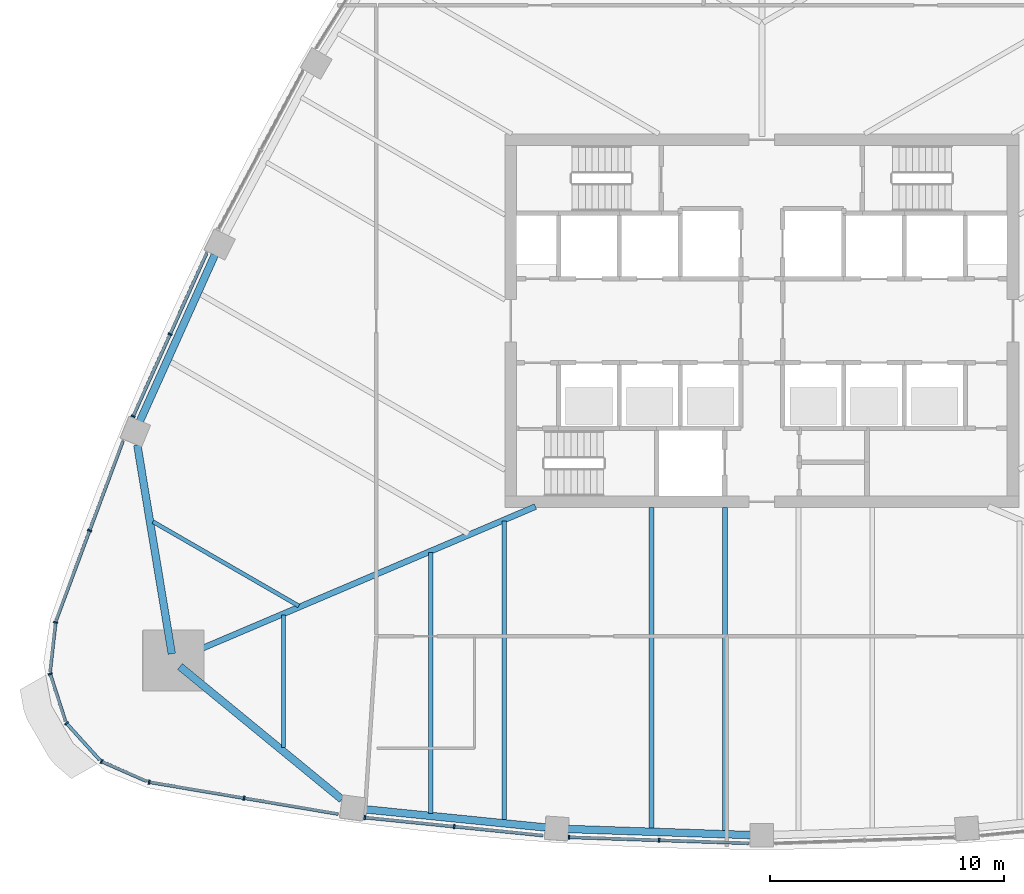
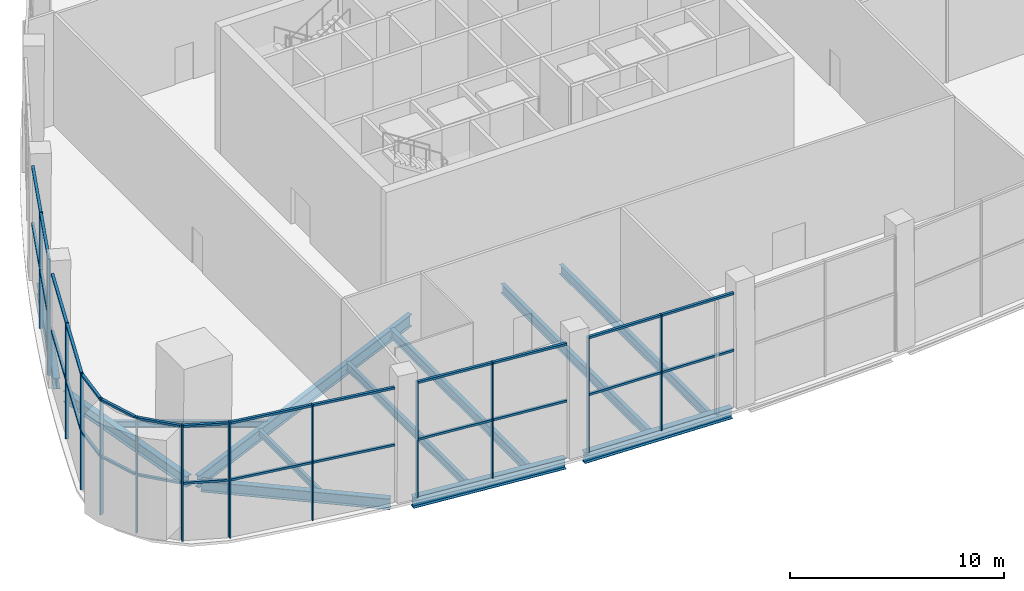
# One storey, part 2 of 15: 41 members, 12 beams, 9 elements without a shape of their own.
"""IFC4 building model written with IfcOpenShell, lengths in metres."""

from ifc_helpers import new_model, si_unit, direction, frame, origin, origin_2d, place, context, subcontext, project, spatial, rectangle, i_section, extrude, material, layer, layer_set, material_profile, profile_set, type_object, element, aggregate, save


model = new_model("IFC4")

# Units and contexts
model_context = context("Model", 3, precision=1e-05, world=origin(), true_north=direction((0.0, 1.0)))
body_context = subcontext(model_context, "Body", "Model", "MODEL_VIEW")
ifc_project = project(units=[si_unit("LENGTHUNIT", "METRE"), si_unit("AREAUNIT", "SQUARE_METRE"), si_unit("VOLUMEUNIT", "CUBIC_METRE"), si_unit("PLANEANGLEUNIT", "RADIAN"), si_unit("MASSUNIT", "GRAM", prefix="KILO")], contexts=[model_context])

# Site, building, storey
site_placement = place(None, origin())
site = spatial("IfcSite", under=ifc_project, at=site_placement, CompositionType="ELEMENT")
building_placement = place(site_placement, origin())
building = spatial("IfcBuilding", under=site, at=building_placement, Name="Sierra Prisma Convention Tower", CompositionType="ELEMENT")
storey_placement = place(building_placement, frame((0.0, 0.0, 118.60009765625)))
storey = spatial("IfcBuildingStorey", under=building, at=storey_placement, Name="L25", CompositionType="ELEMENT", Elevation=118.60009765625)

# Curtain wall, members
ifc_material_1 = material(Name="Aluminium and glass curtain wall", Category="aluminium")
ifc_layer = layer(ifc_material_1, 0.179931640625)
ifc_layer_set = layer_set([ifc_layer], Name="CW-4 Sky lobby double-height curtain wall")
curtain_wall_type = type_object("IfcCurtainWallType", Name="CW-4 Sky lobby double-height curtain wall", PredefinedType="NOTDEFINED", material=ifc_layer_set)
curtain_wall_1_placement = place(storey_placement, origin())
curtain_wall_1 = element("IfcCurtainWall", 1, at=curtain_wall_1_placement, inside=storey, type_object=curtain_wall_type, Name="CW-4 S1 L25", PredefinedType="NOTDEFINED")
ifc_material_2 = material(Name="Aluminium 6063-T6 bronze anodised", Category="aluminium")
ifc_material_profile_1 = material_profile(ifc_material_2, rectangle(XDim=0.179931640625, YDim=0.070068359375, at=origin_2d()), Name="ALU MULLION 70x180")
ifc_profile_set_1 = profile_set([ifc_material_profile_1], Name="Aluminium 6063-T6 bronze anodised")
member_type_1 = type_object("IfcMemberType", Name="CW mullion bronze", PredefinedType="MULLION", material=ifc_profile_set_1)
member_1_placement = place(storey_placement, frame((-26.2275390625, -19.746826171875, 0.0), z_axis=(0.0, 0.0, 1.0), x_axis=(0.166232087109, 0.986086656038, 0.0)))
member_1 = element("IfcMember", 2, at=member_1_placement, type_object=member_type_1, Name="CW-4 mullion S1.1", PredefinedType="MULLION", context=body_context, shape_type="SweptSolid", body=[
    extrude(rectangle(XDim=0.179931640625, YDim=0.070068359375, at=origin_2d()), origin(), (0.0, 0.0, 1.0), 6.599853515625),
])
member_2_placement = place(storey_placement, frame((-22.164306640625, -20.431884765625, 0.0), z_axis=(0.0, 0.0, 1.0), x_axis=(0.166232087109, 0.986086656038, 0.0)))
member_2 = element("IfcMember", 3, at=member_2_placement, type_object=member_type_1, Name="CW-4 mullion S1.2", PredefinedType="MULLION", context=body_context, shape_type="SweptSolid", body=[
    extrude(rectangle(XDim=0.179931640625, YDim=0.070068359375, at=origin_2d()), origin(), (0.0, 0.0, 1.0), 6.599853515625),
])

curtain_wall_2_placement = place(storey_placement, origin())
curtain_wall_2 = element("IfcCurtainWall", 4, at=curtain_wall_2_placement, inside=storey, type_object=curtain_wall_type, Name="CW-4 S2 L25", PredefinedType="NOTDEFINED")
member_3_placement = place(storey_placement, frame((-16.996337890625, -21.263671875, 0.0), z_axis=(0.0, 0.0, 1.0), x_axis=(0.100036804271, 0.994983737451, 0.0)))
member_3 = element("IfcMember", 5, at=member_3_placement, type_object=member_type_1, Name="CW-4 mullion S2.1", PredefinedType="MULLION", context=body_context, shape_type="SweptSolid", body=[
    extrude(rectangle(XDim=0.179931640625, YDim=0.070068359375, at=origin_2d()), origin(), (0.0, 0.0, 1.0), 6.599853515625),
])
member_4_placement = place(storey_placement, frame((-13.16748046875, -21.648681640625, 0.0), z_axis=(0.0, 0.0, 1.0), x_axis=(0.100036804271, 0.994983737451, 0.0)))
member_4 = element("IfcMember", 6, at=member_4_placement, type_object=member_type_1, Name="CW-4 mullion S2.2", PredefinedType="MULLION", context=body_context, shape_type="SweptSolid", body=[
    extrude(rectangle(XDim=0.179931640625, YDim=0.070068359375, at=origin_2d()), origin(), (0.0, 0.0, 1.0), 6.599853515625),
])

curtain_wall_3_placement = place(storey_placement, origin())
curtain_wall_3 = element("IfcCurtainWall", 7, at=curtain_wall_3_placement, inside=storey, type_object=curtain_wall_type, Name="CW-4 S3 L25", PredefinedType="NOTDEFINED")
member_5_placement = place(storey_placement, frame((-8.259033203125, -22.10546875, 0.0), z_axis=(0.0, 0.0, 1.0), x_axis=(0.03339525988, 0.999442222751, 0.0)))
member_5 = element("IfcMember", 8, at=member_5_placement, type_object=member_type_1, Name="CW-4 mullion S3.1", PredefinedType="MULLION", context=body_context, shape_type="SweptSolid", body=[
    extrude(rectangle(XDim=0.179931640625, YDim=0.070068359375, at=origin_2d()), origin(), (0.0, 0.0, 1.0), 6.599853515625),
])
member_6_placement = place(storey_placement, frame((-4.396728515625, -22.234619140625, 0.0), z_axis=(0.0, 0.0, 1.0), x_axis=(0.03339525988, 0.999442222751, 0.0)))
member_6 = element("IfcMember", 9, at=member_6_placement, type_object=member_type_1, Name="CW-4 mullion S3.2", PredefinedType="MULLION", context=body_context, shape_type="SweptSolid", body=[
    extrude(rectangle(XDim=0.179931640625, YDim=0.070068359375, at=origin_2d()), origin(), (0.0, 0.0, 1.0), 6.599853515625),
])

curtain_wall_4_placement = place(storey_placement, origin())
curtain_wall_4 = element("IfcCurtainWall", 10, at=curtain_wall_4_placement, inside=storey, type_object=curtain_wall_type, Name="CW-4 NW5 L25", PredefinedType="NOTDEFINED")
member_7_placement = place(storey_placement, frame((-25.33203125, -0.5791015625, 0.0), z_axis=(0.0, 0.0, 1.0), x_axis=(0.91169959512, -0.410857454913, 0.0)))
member_7 = element("IfcMember", 11, at=member_7_placement, type_object=member_type_1, Name="CW-4 mullion NW5.2", PredefinedType="MULLION", context=body_context, shape_type="SweptSolid", body=[
    extrude(rectangle(XDim=0.179931640625, YDim=0.070068359375, at=origin_2d()), origin(), (0.0, 0.0, 1.0), 6.599853515625),
])
member_8_placement = place(storey_placement, frame((-26.9130859375, -4.08740234375, 0.0), z_axis=(0.0, 0.0, 1.0), x_axis=(0.91169959512, -0.410857454913, 0.0)))
member_8 = element("IfcMember", 12, at=member_8_placement, type_object=member_type_1, Name="CW-4 mullion NW5.3", PredefinedType="MULLION", context=body_context, shape_type="SweptSolid", body=[
    extrude(rectangle(XDim=0.179931640625, YDim=0.070068359375, at=origin_2d()), origin(), (0.0, 0.0, 1.0), 6.599853515625),
])

# Curtain wall, member
curtain_wall_5_placement = place(storey_placement, origin())
curtain_wall_5 = element("IfcCurtainWall", 13, at=curtain_wall_5_placement, inside=storey, type_object=curtain_wall_type, Name="CW-4 NW6 L25", PredefinedType="NOTDEFINED")
member_9_placement = place(storey_placement, frame((-28.776611328125, -8.97900390625, 0.0), z_axis=(0.0, 0.0, 1.0), x_axis=(0.937092138016, -0.349082117659, 0.0)))
member_9 = element("IfcMember", 14, at=member_9_placement, type_object=member_type_1, Name="CW-4 mullion NW6.2", PredefinedType="MULLION", context=body_context, shape_type="SweptSolid", body=[
    extrude(rectangle(XDim=0.179931640625, YDim=0.070068359375, at=origin_2d()), origin(), (0.0, 0.0, 1.0), 6.599853515625),
])

curtain_wall_6_placement = place(storey_placement, origin())
curtain_wall_6 = element("IfcCurtainWall", 15, at=curtain_wall_6_placement, inside=storey, type_object=curtain_wall_type, Name="CW-4 SW1 L25", PredefinedType="NOTDEFINED")
member_10_placement = place(storey_placement, frame((-30.231201171875, -12.907958984375, 0.0), z_axis=(0.0, 0.0, 1.0), x_axis=(0.993791116658, -0.111261927236, 0.0)))
member_10 = element("IfcMember", 16, at=member_10_placement, type_object=member_type_1, Name="CW-4 mullion SW1.1", PredefinedType="MULLION", context=body_context, shape_type="SweptSolid", body=[
    extrude(rectangle(XDim=0.179931640625, YDim=0.070068359375, at=origin_2d()), origin(), (0.0, 0.0, 1.0), 6.599853515625),
])

curtain_wall_7_placement = place(storey_placement, origin())
curtain_wall_7 = element("IfcCurtainWall", 17, at=curtain_wall_7_placement, inside=storey, type_object=curtain_wall_type, Name="CW-4 SW2 L25", PredefinedType="NOTDEFINED")
member_11_placement = place(storey_placement, frame((-30.4638671875, -15.116943359375, 0.0), z_axis=(0.0, 0.0, 1.0), x_axis=(0.951751750944, 0.306869034892, 0.0)))
member_11 = element("IfcMember", 18, at=member_11_placement, type_object=member_type_1, Name="CW-4 mullion SW2.1", PredefinedType="MULLION", context=body_context, shape_type="SweptSolid", body=[
    extrude(rectangle(XDim=0.179931640625, YDim=0.070068359375, at=origin_2d()), origin(), (0.0, 0.0, 1.0), 6.599853515625),
])

curtain_wall_8_placement = place(storey_placement, origin())
curtain_wall_8 = element("IfcCurtainWall", 19, at=curtain_wall_8_placement, inside=storey, type_object=curtain_wall_type, Name="CW-4 SW3 L25", PredefinedType="NOTDEFINED")
member_12_placement = place(storey_placement, frame((-29.768798828125, -17.2265625, 0.0), z_axis=(0.0, 0.0, 1.0), x_axis=(0.741632255323, 0.670806676968, 0.0)))
member_12 = element("IfcMember", 20, at=member_12_placement, type_object=member_type_1, Name="CW-4 mullion SW3.1", PredefinedType="MULLION", context=body_context, shape_type="SweptSolid", body=[
    extrude(rectangle(XDim=0.179931640625, YDim=0.070068359375, at=origin_2d()), origin(), (0.0, 0.0, 1.0), 6.599853515625),
])

curtain_wall_9_placement = place(storey_placement, origin())
curtain_wall_9 = element("IfcCurtainWall", 21, at=curtain_wall_9_placement, inside=storey, type_object=curtain_wall_type, Name="CW-4 SW4 L25", PredefinedType="NOTDEFINED")
member_13_placement = place(storey_placement, frame((-28.26806640625, -18.864013671875, 0.0), z_axis=(0.0, 0.0, 1.0), x_axis=(0.400539902868, 0.916279316699, 0.0)))
member_13 = element("IfcMember", 22, at=member_13_placement, type_object=member_type_1, Name="CW-4 mullion SW4.1", PredefinedType="MULLION", context=body_context, shape_type="SweptSolid", body=[
    extrude(rectangle(XDim=0.179931640625, YDim=0.070068359375, at=origin_2d()), origin(), (0.0, 0.0, 1.0), 6.599853515625),
])

# Member
ifc_material_3 = material(Name="Aluminium 6063-T6 bronze anodised", Category="aluminium")
ifc_material_profile_2 = material_profile(ifc_material_3, rectangle(XDim=0.139892578125, YDim=0.1201171875, at=origin_2d()), Name="ALU TRANSOM 120x140")
ifc_profile_set_2 = profile_set([ifc_material_profile_2], Name="Aluminium 6063-T6 bronze anodised")
member_type_2 = type_object("IfcMemberType", Name="CW transom bronze", PredefinedType="USERDEFINED", material=ifc_profile_set_2)
member_14_placement = place(storey_placement, frame((-26.193115234375, -19.752685546875, 6.539794921875), z_axis=(0.986087619638, -0.166226370941, 0.0), x_axis=(0.166226370941, 0.986087619638, 0.0)))
member_14 = element("IfcMember", 23, at=member_14_placement, type_object=member_type_2, Name="CW-4 transom S1.1", ObjectType="TRANSOM", PredefinedType="USERDEFINED", context=body_context, shape_type="SweptSolid", body=[
    extrude(rectangle(XDim=0.139892578125, YDim=0.1201171875, at=origin_2d()), origin(), (0.0, 0.0, 1.0), 4.05078125),
])

member_15_placement = place(storey_placement, frame((-26.193115234375, -19.752685546875, 3.2998046875), z_axis=(0.986087619638, -0.166226370941, 0.0), x_axis=(0.166226370941, 0.986087619638, 0.0)))
member_15 = element("IfcMember", 24, at=member_15_placement, type_object=member_type_2, Name="CW-4 transom S1.1 mid", ObjectType="TRANSOM", PredefinedType="USERDEFINED", context=body_context, shape_type="SweptSolid", body=[
    extrude(rectangle(XDim=0.139892578125, YDim=0.1201171875, at=origin_2d()), origin(), (0.0, 0.0, 1.0), 4.05078125),
])

member_16_placement = place(storey_placement, frame((-22.129638671875, -20.437744140625, 6.539794921875), z_axis=(0.98608595414, -0.166236250704, 0.0), x_axis=(0.166236250704, 0.98608595414, 0.0)))
member_16 = element("IfcMember", 25, at=member_16_placement, type_object=member_type_2, Name="CW-4 transom S1.2", ObjectType="TRANSOM", PredefinedType="USERDEFINED", context=body_context, shape_type="SweptSolid", body=[
    extrude(rectangle(XDim=0.139892578125, YDim=0.1201171875, at=origin_2d()), origin(), (0.0, 0.0, 1.0), 4.050537109375),
])

member_17_placement = place(storey_placement, frame((-22.129638671875, -20.437744140625, 3.2998046875), z_axis=(0.98608595414, -0.166236250704, 0.0), x_axis=(0.166236250704, 0.98608595414, 0.0)))
member_17 = element("IfcMember", 26, at=member_17_placement, type_object=member_type_2, Name="CW-4 transom S1.2 mid", ObjectType="TRANSOM", PredefinedType="USERDEFINED", context=body_context, shape_type="SweptSolid", body=[
    extrude(rectangle(XDim=0.139892578125, YDim=0.1201171875, at=origin_2d()), origin(), (0.0, 0.0, 1.0), 4.050537109375),
])

aggregate(curtain_wall_1, [member_1, member_2, member_14, member_15, member_16, member_17])

member_18_placement = place(storey_placement, frame((-16.96142578125, -21.267333984375, 6.539794921875), z_axis=(0.994983943344, -0.1000347564, 0.0), x_axis=(0.1000347564, 0.994983943344, 0.0)))
member_18 = element("IfcMember", 27, at=member_18_placement, type_object=member_type_2, Name="CW-4 transom S2.1", ObjectType="TRANSOM", PredefinedType="USERDEFINED", context=body_context, shape_type="SweptSolid", body=[
    extrude(rectangle(XDim=0.139892578125, YDim=0.1201171875, at=origin_2d()), origin(), (0.0, 0.0, 1.0), 3.778076171875),
])

member_19_placement = place(storey_placement, frame((-16.96142578125, -21.267333984375, 3.2998046875), z_axis=(0.994983943344, -0.1000347564, 0.0), x_axis=(0.1000347564, 0.994983943344, 0.0)))
member_19 = element("IfcMember", 28, at=member_19_placement, type_object=member_type_2, Name="CW-4 transom S2.1 mid", ObjectType="TRANSOM", PredefinedType="USERDEFINED", context=body_context, shape_type="SweptSolid", body=[
    extrude(rectangle(XDim=0.139892578125, YDim=0.1201171875, at=origin_2d()), origin(), (0.0, 0.0, 1.0), 3.778076171875),
])

member_20_placement = place(storey_placement, frame((-13.132568359375, -21.652099609375, 6.539794921875), z_axis=(0.994977509315, -0.100098731047, 0.0), x_axis=(0.100098731047, 0.994977509315, 0.0)))
member_20 = element("IfcMember", 29, at=member_20_placement, type_object=member_type_2, Name="CW-4 transom S2.2", ObjectType="TRANSOM", PredefinedType="USERDEFINED", context=body_context, shape_type="SweptSolid", body=[
    extrude(rectangle(XDim=0.139892578125, YDim=0.1201171875, at=origin_2d()), origin(), (0.0, 0.0, 1.0), 3.778076171875),
])

member_21_placement = place(storey_placement, frame((-13.132568359375, -21.652099609375, 3.2998046875), z_axis=(0.994977509315, -0.100098731047, 0.0), x_axis=(0.100098731047, 0.994977509315, 0.0)))
member_21 = element("IfcMember", 30, at=member_21_placement, type_object=member_type_2, Name="CW-4 transom S2.2 mid", ObjectType="TRANSOM", PredefinedType="USERDEFINED", context=body_context, shape_type="SweptSolid", body=[
    extrude(rectangle(XDim=0.139892578125, YDim=0.1201171875, at=origin_2d()), origin(), (0.0, 0.0, 1.0), 3.778076171875),
])

aggregate(curtain_wall_2, [member_3, member_4, member_18, member_19, member_20, member_21])

member_22_placement = place(storey_placement, frame((-8.223876953125, -22.106689453125, 6.539794921875), z_axis=(0.999442189793, -0.033396246234, 0.0), x_axis=(0.033396246234, 0.999442189793, 0.0)))
member_22 = element("IfcMember", 31, at=member_22_placement, type_object=member_type_2, Name="CW-4 transom S3.1", ObjectType="TRANSOM", PredefinedType="USERDEFINED", context=body_context, shape_type="SweptSolid", body=[
    extrude(rectangle(XDim=0.139892578125, YDim=0.1201171875, at=origin_2d()), origin(), (0.0, 0.0, 1.0), 3.794189453125),
])

member_23_placement = place(storey_placement, frame((-8.223876953125, -22.106689453125, 3.2998046875), z_axis=(0.999442189793, -0.033396246234, 0.0), x_axis=(0.033396246234, 0.999442189793, 0.0)))
member_23 = element("IfcMember", 32, at=member_23_placement, type_object=member_type_2, Name="CW-4 transom S3.1 mid", ObjectType="TRANSOM", PredefinedType="USERDEFINED", context=body_context, shape_type="SweptSolid", body=[
    extrude(rectangle(XDim=0.139892578125, YDim=0.1201171875, at=origin_2d()), origin(), (0.0, 0.0, 1.0), 3.794189453125),
])

member_24_placement = place(storey_placement, frame((-4.36181640625, -22.235595703125, 6.539794921875), z_axis=(0.999442261553, -0.033394098612, 0.0), x_axis=(0.033394098612, 0.999442261553, 0.0)))
member_24 = element("IfcMember", 33, at=member_24_placement, type_object=member_type_2, Name="CW-4 transom S3.2", ObjectType="TRANSOM", PredefinedType="USERDEFINED", context=body_context, shape_type="SweptSolid", body=[
    extrude(rectangle(XDim=0.139892578125, YDim=0.1201171875, at=origin_2d()), origin(), (0.0, 0.0, 1.0), 3.79443359375),
])

member_25_placement = place(storey_placement, frame((-4.36181640625, -22.235595703125, 3.2998046875), z_axis=(0.999442261553, -0.033394098612, 0.0), x_axis=(0.033394098612, 0.999442261553, 0.0)))
member_25 = element("IfcMember", 34, at=member_25_placement, type_object=member_type_2, Name="CW-4 transom S3.2 mid", ObjectType="TRANSOM", PredefinedType="USERDEFINED", context=body_context, shape_type="SweptSolid", body=[
    extrude(rectangle(XDim=0.139892578125, YDim=0.1201171875, at=origin_2d()), origin(), (0.0, 0.0, 1.0), 3.79443359375),
])

aggregate(curtain_wall_3, [member_5, member_6, member_22, member_23, member_24, member_25])

member_26_placement = place(storey_placement, frame((-23.765380859375, 2.8974609375, 6.539794921875), z_axis=(-0.410845565941, -0.911704952793, 0.0), x_axis=(0.911704952793, -0.410845565941, 0.0)))
member_26 = element("IfcMember", 35, at=member_26_placement, type_object=member_type_2, Name="CW-4 transom NW5.1", ObjectType="TRANSOM", PredefinedType="USERDEFINED", context=body_context, shape_type="SweptSolid", body=[
    extrude(rectangle(XDim=0.139892578125, YDim=0.1201171875, at=origin_2d()), origin(), (0.0, 0.0, 1.0), 3.778076171875),
])

member_27_placement = place(storey_placement, frame((-23.765380859375, 2.8974609375, 3.2998046875), z_axis=(-0.410845565941, -0.911704952793, 0.0), x_axis=(0.911704952793, -0.410845565941, 0.0)))
member_27 = element("IfcMember", 36, at=member_27_placement, type_object=member_type_2, Name="CW-4 transom NW5.1 mid", ObjectType="TRANSOM", PredefinedType="USERDEFINED", context=body_context, shape_type="SweptSolid", body=[
    extrude(rectangle(XDim=0.139892578125, YDim=0.1201171875, at=origin_2d()), origin(), (0.0, 0.0, 1.0), 3.778076171875),
])

member_28_placement = place(storey_placement, frame((-25.346435546875, -0.61083984375, 6.539794921875), z_axis=(-0.410845565941, -0.911704952793, 0.0), x_axis=(0.911704952793, -0.410845565941, 0.0)))
member_28 = element("IfcMember", 37, at=member_28_placement, type_object=member_type_2, Name="CW-4 transom NW5.2", ObjectType="TRANSOM", PredefinedType="USERDEFINED", context=body_context, shape_type="SweptSolid", body=[
    extrude(rectangle(XDim=0.139892578125, YDim=0.1201171875, at=origin_2d()), origin(), (0.0, 0.0, 1.0), 3.778076171875),
])

member_29_placement = place(storey_placement, frame((-25.346435546875, -0.61083984375, 3.2998046875), z_axis=(-0.410845565941, -0.911704952793, 0.0), x_axis=(0.911704952793, -0.410845565941, 0.0)))
member_29 = element("IfcMember", 38, at=member_29_placement, type_object=member_type_2, Name="CW-4 transom NW5.2 mid", ObjectType="TRANSOM", PredefinedType="USERDEFINED", context=body_context, shape_type="SweptSolid", body=[
    extrude(rectangle(XDim=0.139892578125, YDim=0.1201171875, at=origin_2d()), origin(), (0.0, 0.0, 1.0), 3.778076171875),
])

aggregate(curtain_wall_4, [member_7, member_8, member_26, member_27, member_28, member_29])

member_30_placement = place(storey_placement, frame((-27.350341796875, -5.150390625, 6.539794921875), z_axis=(-0.349107985366, -0.937082501466, 0.0), x_axis=(0.937082501466, -0.349107985366, 0.0)))
member_30 = element("IfcMember", 39, at=member_30_placement, type_object=member_type_2, Name="CW-4 transom NW6.1", ObjectType="TRANSOM", PredefinedType="USERDEFINED", context=body_context, shape_type="SweptSolid", body=[
    extrude(rectangle(XDim=0.139892578125, YDim=0.1201171875, at=origin_2d()), origin(), (0.0, 0.0, 1.0), 4.050537109375),
])

member_31_placement = place(storey_placement, frame((-27.350341796875, -5.150390625, 3.2998046875), z_axis=(-0.349107985366, -0.937082501466, 0.0), x_axis=(0.937082501466, -0.349107985366, 0.0)))
member_31 = element("IfcMember", 40, at=member_31_placement, type_object=member_type_2, Name="CW-4 transom NW6.1 mid", ObjectType="TRANSOM", PredefinedType="USERDEFINED", context=body_context, shape_type="SweptSolid", body=[
    extrude(rectangle(XDim=0.139892578125, YDim=0.1201171875, at=origin_2d()), origin(), (0.0, 0.0, 1.0), 4.050537109375),
])

member_32_placement = place(storey_placement, frame((-28.788818359375, -9.01171875, 6.539794921875), z_axis=(-0.349088268131, -0.937089846841, 0.0), x_axis=(0.937089846841, -0.349088268131, 0.0)))
member_32 = element("IfcMember", 41, at=member_32_placement, type_object=member_type_2, Name="CW-4 transom NW6.2", ObjectType="TRANSOM", PredefinedType="USERDEFINED", context=body_context, shape_type="SweptSolid", body=[
    extrude(rectangle(XDim=0.139892578125, YDim=0.1201171875, at=origin_2d()), origin(), (0.0, 0.0, 1.0), 4.05078125),
])

member_33_placement = place(storey_placement, frame((-28.788818359375, -9.01171875, 3.2998046875), z_axis=(-0.349088268131, -0.937089846841, 0.0), x_axis=(0.937089846841, -0.349088268131, 0.0)))
member_33 = element("IfcMember", 42, at=member_33_placement, type_object=member_type_2, Name="CW-4 transom NW6.2 mid", ObjectType="TRANSOM", PredefinedType="USERDEFINED", context=body_context, shape_type="SweptSolid", body=[
    extrude(rectangle(XDim=0.139892578125, YDim=0.1201171875, at=origin_2d()), origin(), (0.0, 0.0, 1.0), 4.05078125),
])

aggregate(curtain_wall_5, [member_9, member_30, member_31, member_32, member_33])

member_34_placement = place(storey_placement, frame((-30.235107421875, -12.942626953125, 6.539794921875), z_axis=(-0.11128001379, -0.993789091574, 0.0), x_axis=(0.993789091574, -0.11128001379, 0.0)))
member_34 = element("IfcMember", 43, at=member_34_placement, type_object=member_type_2, Name="CW-4 transom SW1.1", ObjectType="TRANSOM", PredefinedType="USERDEFINED", context=body_context, shape_type="SweptSolid", body=[
    extrude(rectangle(XDim=0.139892578125, YDim=0.1201171875, at=origin_2d()), origin(), (0.0, 0.0, 1.0), 2.084228515625),
])

member_35_placement = place(storey_placement, frame((-30.235107421875, -12.942626953125, 3.2998046875), z_axis=(-0.11128001379, -0.993789091574, 0.0), x_axis=(0.993789091574, -0.11128001379, 0.0)))
member_35 = element("IfcMember", 44, at=member_35_placement, type_object=member_type_2, Name="CW-4 transom SW1.1 mid", ObjectType="TRANSOM", PredefinedType="USERDEFINED", context=body_context, shape_type="SweptSolid", body=[
    extrude(rectangle(XDim=0.139892578125, YDim=0.1201171875, at=origin_2d()), origin(), (0.0, 0.0, 1.0), 2.084228515625),
])

aggregate(curtain_wall_6, [member_10, member_34, member_35])

member_36_placement = place(storey_placement, frame((-30.453125, -15.150146484375, 6.539794921875), z_axis=(0.306793993206, -0.951775943031, 0.0), x_axis=(0.951775943031, 0.306793993206, 0.0)))
member_36 = element("IfcMember", 45, at=member_36_placement, type_object=member_type_2, Name="CW-4 transom SW2.1", ObjectType="TRANSOM", PredefinedType="USERDEFINED", context=body_context, shape_type="SweptSolid", body=[
    extrude(rectangle(XDim=0.139892578125, YDim=0.1201171875, at=origin_2d()), origin(), (0.0, 0.0, 1.0), 2.084228515625),
])

member_37_placement = place(storey_placement, frame((-30.453125, -15.150146484375, 3.2998046875), z_axis=(0.306793993206, -0.951775943031, 0.0), x_axis=(0.951775943031, 0.306793993206, 0.0)))
member_37 = element("IfcMember", 46, at=member_37_placement, type_object=member_type_2, Name="CW-4 transom SW2.1 mid", ObjectType="TRANSOM", PredefinedType="USERDEFINED", context=body_context, shape_type="SweptSolid", body=[
    extrude(rectangle(XDim=0.139892578125, YDim=0.1201171875, at=origin_2d()), origin(), (0.0, 0.0, 1.0), 2.084228515625),
])

aggregate(curtain_wall_7, [member_11, member_36, member_37])

member_38_placement = place(storey_placement, frame((-29.7451171875, -17.25244140625, 6.539794921875), z_axis=(0.670781413883, -0.741655105011, 0.0), x_axis=(0.741655105011, 0.670781413883, 0.0)))
member_38 = element("IfcMember", 47, at=member_38_placement, type_object=member_type_2, Name="CW-4 transom SW3.1", ObjectType="TRANSOM", PredefinedType="USERDEFINED", context=body_context, shape_type="SweptSolid", body=[
    extrude(rectangle(XDim=0.139892578125, YDim=0.1201171875, at=origin_2d()), origin(), (0.0, 0.0, 1.0), 2.083984375),
])

member_39_placement = place(storey_placement, frame((-29.7451171875, -17.25244140625, 3.2998046875), z_axis=(0.670781413883, -0.741655105011, 0.0), x_axis=(0.741655105011, 0.670781413883, 0.0)))
member_39 = element("IfcMember", 48, at=member_39_placement, type_object=member_type_2, Name="CW-4 transom SW3.1 mid", ObjectType="TRANSOM", PredefinedType="USERDEFINED", context=body_context, shape_type="SweptSolid", body=[
    extrude(rectangle(XDim=0.139892578125, YDim=0.1201171875, at=origin_2d()), origin(), (0.0, 0.0, 1.0), 2.083984375),
])

aggregate(curtain_wall_8, [member_12, member_38, member_39])

member_40_placement = place(storey_placement, frame((-28.236083984375, -18.878173828125, 6.539794921875), z_axis=(0.916310497457, -0.400468565871, 0.0), x_axis=(0.400468565871, 0.916310497457, 0.0)))
member_40 = element("IfcMember", 49, at=member_40_placement, type_object=member_type_2, Name="CW-4 transom SW4.1", ObjectType="TRANSOM", PredefinedType="USERDEFINED", context=body_context, shape_type="SweptSolid", body=[
    extrude(rectangle(XDim=0.139892578125, YDim=0.1201171875, at=origin_2d()), origin(), (0.0, 0.0, 1.0), 2.084228515625),
])

member_41_placement = place(storey_placement, frame((-28.236083984375, -18.878173828125, 3.2998046875), z_axis=(0.916310497457, -0.400468565871, 0.0), x_axis=(0.400468565871, 0.916310497457, 0.0)))
member_41 = element("IfcMember", 50, at=member_41_placement, type_object=member_type_2, Name="CW-4 transom SW4.1 mid", ObjectType="TRANSOM", PredefinedType="USERDEFINED", context=body_context, shape_type="SweptSolid", body=[
    extrude(rectangle(XDim=0.139892578125, YDim=0.1201171875, at=origin_2d()), origin(), (0.0, 0.0, 1.0), 2.084228515625),
])

aggregate(curtain_wall_9, [member_13, member_40, member_41])

# Beams
ifc_material_4 = material(Name="Steel ASTM A992 Gr 50", Category="steel")
ifc_material_profile_3 = material_profile(ifc_material_4, i_section(OverallWidth=0.172119140625, OverallDepth=0.35791015625, WebThickness=0.0078125, FlangeThickness=0.01318359375, at=origin_2d()), Name="W360x57")
ifc_profile_set_3 = profile_set([ifc_material_profile_3], Name="Steel ASTM A992 Gr 50")
beam_type_1 = type_object("IfcBeamType", Name="Floor joist W360x57", PredefinedType="JOIST", material=ifc_profile_set_3)
beam_1_placement = place(storey_placement, frame((-20.48193359375, -18.273193359375, -0.3291015625), z_axis=(0.0, 1.0, 0.0), x_axis=(-1.0, 0.0, 0.0)))
element("IfcBeam", 51, at=beam_1_placement, inside=storey, type_object=beam_type_1, Name="Floor joist L25 S02", PredefinedType="JOIST", context=body_context, shape_type="SweptSolid", body=[
    extrude(i_section(OverallWidth=0.172119140625, OverallDepth=0.35791015625, WebThickness=0.0078125, FlangeThickness=0.01318359375, at=origin_2d()), origin(), (0.0, 0.0, 1.0), 5.67431640625),
])
beam_2_placement = place(storey_placement, frame((-26.06591796875, -8.60107421875, -0.3291015625), z_axis=(0.866022099498, -0.500005723148, 0.0), x_axis=(0.500005723148, 0.866022099498, 0.0)))
element("IfcBeam", 52, at=beam_2_placement, inside=storey, type_object=beam_type_1, Name="Floor joist L25 NW15", PredefinedType="JOIST", context=body_context, shape_type="SweptSolid", body=[
    extrude(i_section(OverallWidth=0.172119140625, OverallDepth=0.35791015625, WebThickness=0.0078125, FlangeThickness=0.01318359375, at=origin_2d()), origin(), (0.0, 0.0, 1.0), 7.2119140625),
])
ifc_material_5 = material(Name="Steel ASTM A992 Gr 50", Category="steel")
ifc_material_profile_4 = material_profile(ifc_material_5, i_section(OverallWidth=0.18994140625, OverallDepth=0.45703125, WebThickness=0.009033203125, FlangeThickness=0.014404296875, at=origin_2d()), Name="W460x74")
ifc_profile_set_4 = profile_set([ifc_material_profile_4], Name="Steel ASTM A992 Gr 50")
beam_type_2 = type_object("IfcBeamType", Name="Floor joist W460x74", PredefinedType="JOIST", material=ifc_profile_set_4)
beam_3_placement = place(storey_placement, frame((-14.1796875, -21.08203125, -0.378662109375), z_axis=(0.0, 1.0, 0.0), x_axis=(-1.0, 0.0, 0.0)))
element("IfcBeam", 53, at=beam_3_placement, inside=storey, type_object=beam_type_2, Name="Floor joist L25 S04", PredefinedType="JOIST", context=body_context, shape_type="SweptSolid", body=[
    extrude(i_section(OverallWidth=0.18994140625, OverallDepth=0.45703125, WebThickness=0.009033203125, FlangeThickness=0.014404296875, at=origin_2d()), origin(), (0.0, 0.0, 1.0), 11.163818359375),
])
ifc_material_6 = material(Name="Steel ASTM A992 Gr 50", Category="steel")
ifc_material_profile_5 = material_profile(ifc_material_6, i_section(OverallWidth=0.208984375, OverallDepth=0.532958984375, WebThickness=0.01025390625, FlangeThickness=0.015625, at=origin_2d()), Name="W530x92")
ifc_profile_set_5 = profile_set([ifc_material_profile_5], Name="Steel ASTM A992 Gr 50")
beam_type_3 = type_object("IfcBeamType", Name="Floor joist W530x92", PredefinedType="JOIST", material=ifc_profile_set_5)
beam_4_placement = place(storey_placement, frame((-11.028564453125, -21.39892578125, -0.41650390625), z_axis=(0.0, 1.0, 0.0), x_axis=(-1.0, 0.0, 0.0)))
element("IfcBeam", 54, at=beam_4_placement, inside=storey, type_object=beam_type_3, Name="Floor joist L25 S05", PredefinedType="JOIST", context=body_context, shape_type="SweptSolid", body=[
    extrude(i_section(OverallWidth=0.208984375, OverallDepth=0.532958984375, WebThickness=0.01025390625, FlangeThickness=0.015625, at=origin_2d()), origin(), (0.0, 0.0, 1.0), 12.821044921875),
])
beam_5_placement = place(storey_placement, frame((-4.7265625, -21.760986328125, -0.41650390625), z_axis=(0.0, 1.0, 0.0), x_axis=(-1.0, 0.0, 0.0)))
element("IfcBeam", 55, at=beam_5_placement, inside=storey, type_object=beam_type_3, Name="Floor joist L25 S07", PredefinedType="JOIST", context=body_context, shape_type="SweptSolid", body=[
    extrude(i_section(OverallWidth=0.208984375, OverallDepth=0.532958984375, WebThickness=0.01025390625, FlangeThickness=0.015625, at=origin_2d()), origin(), (0.0, 0.0, 1.0), 13.760986328125),
])
beam_6_placement = place(storey_placement, frame((-1.575439453125, -21.8662109375, -0.41650390625), z_axis=(0.0, 1.0, 0.0), x_axis=(-1.0, 0.0, 0.0)))
element("IfcBeam", 56, at=beam_6_placement, inside=storey, type_object=beam_type_3, Name="Floor joist L25 S08", PredefinedType="JOIST", context=body_context, shape_type="SweptSolid", body=[
    extrude(i_section(OverallWidth=0.208984375, OverallDepth=0.532958984375, WebThickness=0.01025390625, FlangeThickness=0.015625, at=origin_2d()), origin(), (0.0, 0.0, 1.0), 13.8662109375),
])
ifc_material_7 = material(Name="Steel ASTM A992 Gr 50", Category="steel")
ifc_material_profile_6 = material_profile(ifc_material_7, i_section(OverallWidth=0.25390625, OverallDepth=0.68408203125, WebThickness=0.012451171875, FlangeThickness=0.018798828125, at=origin_2d()), Name="W690x140")
ifc_profile_set_6 = profile_set([ifc_material_profile_6], Name="Steel ASTM A992 Gr 50")
beam_type_4 = type_object("IfcBeamType", Name="Radial girder W690x140", PredefinedType="BEAM", material=ifc_profile_set_6)
beam_7_placement = place(storey_placement, frame((-24.908447265625, -14.426513671875, -0.4921875), z_axis=(0.920215166131, 0.391412886888, 0.0), x_axis=(-0.391412886888, 0.920215166131, 0.0)))
element("IfcBeam", 57, at=beam_7_placement, inside=storey, type_object=beam_type_4, Name="Radial girder L25 SW", PredefinedType="BEAM", context=body_context, shape_type="SweptSolid", body=[
    extrude(i_section(OverallWidth=0.25390625, OverallDepth=0.68408203125, WebThickness=0.012451171875, FlangeThickness=0.018798828125, at=origin_2d()), origin(), (0.0, 0.0, 1.0), 16.53857421875),
])
ifc_material_8 = material(Name="Steel ASTM A992 Gr 50", Category="steel")
ifc_material_profile_7 = material_profile(ifc_material_8, i_section(OverallWidth=0.324951171875, OverallDepth=0.615966796875, WebThickness=0.013916015625, FlangeThickness=0.021484375, at=origin_2d()), Name="W610x174")
ifc_profile_set_7 = profile_set([ifc_material_profile_7], Name="Steel ASTM A992 Gr 50")
beam_type_5 = type_object("IfcBeamType", Name="Spandrel beam W610x174", PredefinedType="BEAM", material=ifc_profile_set_7)
beam_8_placement = place(storey_placement, frame((-24.908447265625, -14.80029296875, -0.4580078125), z_axis=(0.772990491714, -0.634417606722, 0.0), x_axis=(0.634417606722, 0.772990491714, 0.0)))
element("IfcBeam", 58, at=beam_8_placement, inside=storey, type_object=beam_type_5, Name="Spandrel L25-01", PredefinedType="BEAM", context=body_context, shape_type="SweptSolid", body=[
    extrude(i_section(OverallWidth=0.324951171875, OverallDepth=0.615966796875, WebThickness=0.013916015625, FlangeThickness=0.021484375, at=origin_2d()), origin(), (0.0, 0.0, 1.0), 8.964111328125),
])
beam_9_placement = place(storey_placement, frame((-17.048828125, -20.90673828125, -0.4580078125), z_axis=(0.994981135368, -0.10006268166, 0.0), x_axis=(0.10006268166, 0.994981135368, 0.0)))
element("IfcBeam", 59, at=beam_9_placement, inside=storey, type_object=beam_type_5, Name="Spandrel L25-02", PredefinedType="BEAM", context=body_context, shape_type="SweptSolid", body=[
    extrude(i_section(OverallWidth=0.324951171875, OverallDepth=0.615966796875, WebThickness=0.013916015625, FlangeThickness=0.021484375, at=origin_2d()), origin(), (0.0, 0.0, 1.0), 7.8271484375),
])
beam_10_placement = place(storey_placement, frame((-8.302978515625, -21.754150390625, -0.4580078125), z_axis=(0.999442932009, -0.033374026691, 0.0), x_axis=(0.033374026691, 0.999442932009, 0.0)))
element("IfcBeam", 60, at=beam_10_placement, inside=storey, type_object=beam_type_5, Name="Spandrel L25-03", PredefinedType="BEAM", context=body_context, shape_type="SweptSolid", body=[
    extrude(i_section(OverallWidth=0.324951171875, OverallDepth=0.615966796875, WebThickness=0.013916015625, FlangeThickness=0.021484375, at=origin_2d()), origin(), (0.0, 0.0, 1.0), 7.827392578125),
])
beam_11_placement = place(storey_placement, frame((-23.41455078125, 2.82470703125, -0.4580078125), z_axis=(-0.410856161502, -0.911700177995, 0.0), x_axis=(0.911700177995, -0.410856161502, 0.0)))
element("IfcBeam", 61, at=beam_11_placement, inside=storey, type_object=beam_type_5, Name="Spandrel L25-17", PredefinedType="BEAM", context=body_context, shape_type="SweptSolid", body=[
    extrude(i_section(OverallWidth=0.324951171875, OverallDepth=0.615966796875, WebThickness=0.013916015625, FlangeThickness=0.021484375, at=origin_2d()), origin(), (0.0, 0.0, 1.0), 7.8271484375),
])
beam_12_placement = place(storey_placement, frame((-26.732421875, -5.32666015625, -0.4580078125), z_axis=(0.162941802276, -0.986635682038, 0.0), x_axis=(0.986635682038, 0.162941802276, 0.0)))
element("IfcBeam", 62, at=beam_12_placement, inside=storey, type_object=beam_type_5, Name="Spandrel L25-18", PredefinedType="BEAM", context=body_context, shape_type="SweptSolid", body=[
    extrude(i_section(OverallWidth=0.324951171875, OverallDepth=0.615966796875, WebThickness=0.013916015625, FlangeThickness=0.021484375, at=origin_2d()), origin(), (0.0, 0.0, 1.0), 9.04833984375),
])

save(model, "model.ifc")
